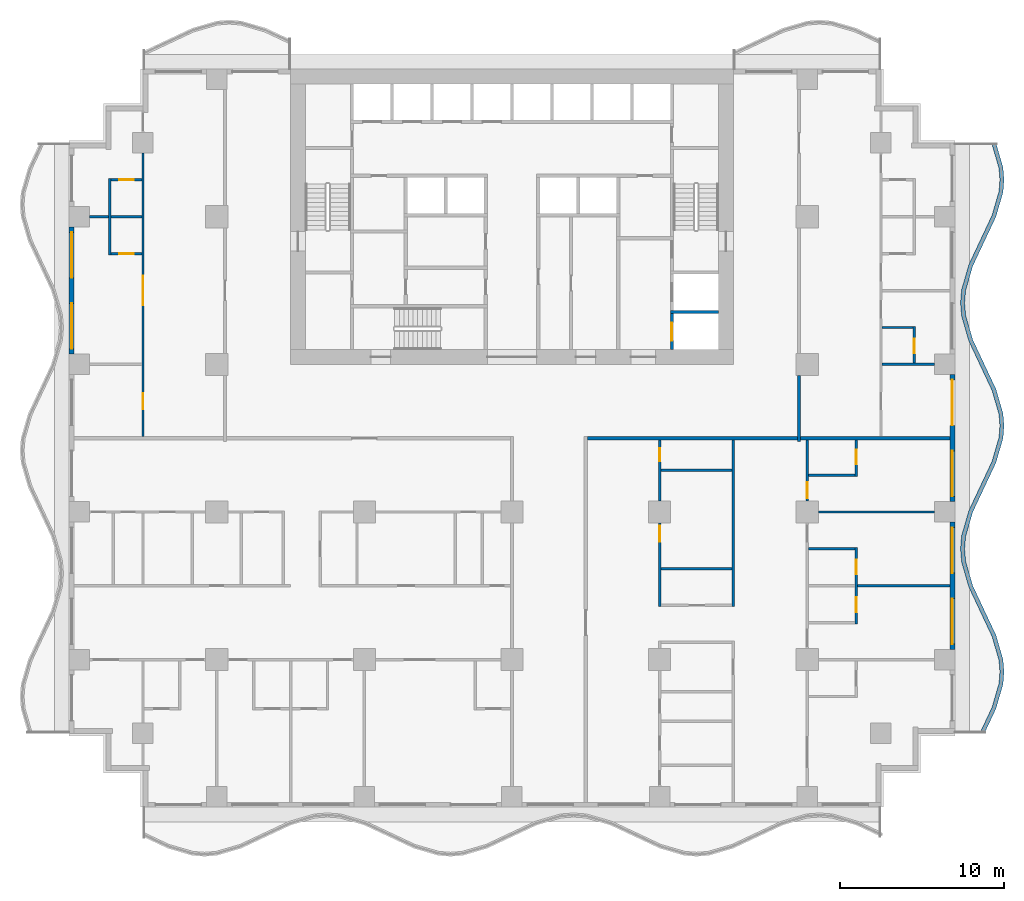
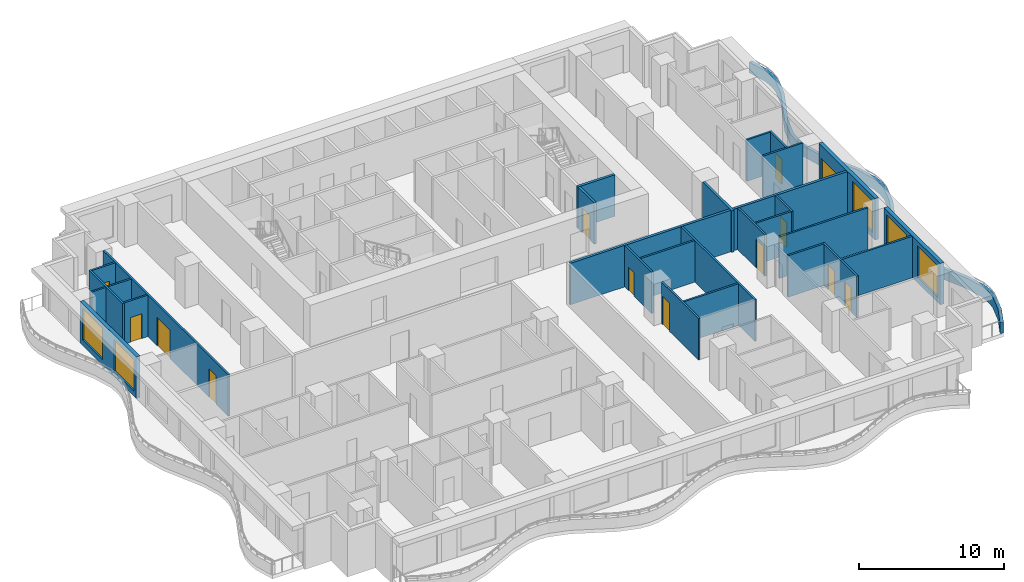
# One storey, part 4 of 14: 30 walls, 13 doors, 5 windows, 18 openings.
"""IFC4 building model written with IfcOpenShell, lengths in metres."""

from ifc_helpers import new_model, si_unit, direction, frame, frame_2d, origin, place, context, subcontext, project, spatial, polyline, rectangle, outline, extrude, material, layer, layer_set, type_object, element, fill, save


model = new_model("IFC4")

# Units and contexts
model_context = context("Model", 3, precision=1e-05, world=origin(), true_north=direction((0.0, 1.0)))
body_context = subcontext(model_context, "Body", "Model", "MODEL_VIEW")
ifc_project = project(units=[si_unit("LENGTHUNIT", "METRE"), si_unit("AREAUNIT", "SQUARE_METRE"), si_unit("VOLUMEUNIT", "CUBIC_METRE"), si_unit("PLANEANGLEUNIT", "RADIAN"), si_unit("MASSUNIT", "GRAM", prefix="KILO")], contexts=[model_context])

# Site, building, storey
site_placement = place(None, origin())
site = spatial("IfcSite", under=ifc_project, at=site_placement, CompositionType="ELEMENT")
building_placement = place(site_placement, origin())
building = spatial("IfcBuilding", under=site, at=building_placement, Name="Orbiselva Terraces", CompositionType="ELEMENT")
storey_placement = place(building_placement, frame((0.0, 0.0, 107.4)))
storey = spatial("IfcBuildingStorey", under=building, at=storey_placement, Name="L27", CompositionType="ELEMENT", Elevation=107.4)

# Wall, opening, door
ifc_material_1 = material(Name="Concrete C60/75", Category="concrete")
ifc_layer_1 = layer(ifc_material_1, 0.2)
ifc_layer_set_1 = layer_set([ifc_layer_1], Name="Concrete C60/75")
wall_type_1 = type_object("IfcWallType", Name="CORE-WALL-SHEAR-200", PredefinedType="SHEAR", material=ifc_layer_set_1)
wall_1_placement = place(storey_placement, frame((9.75, 5.4, 0.0), z_axis=(0.0, 0.0, 1.0), x_axis=(0.0, 1.0, 0.0)))
wall_1 = element("IfcWall", 1, at=wall_1_placement, inside=storey, type_object=wall_type_1, Name="L27 core wall 42", PredefinedType="SHEAR", context=body_context, shape_type="SweptSolid", body=[
    extrude(rectangle(XDim=2.2, YDim=0.2, at=frame_2d((1.1, 0.0))), origin(), (0.0, 0.0, 1.0), 3.5),
])
opening_1_placement = place(wall_1_placement, frame((0.55, 0.0, 0.0)))
opening_1 = element("IfcOpeningElement", 2, at=opening_1_placement, cuts=wall_1, Name="Opening LD-FF1", PredefinedType="OPENING", context=body_context, shape_type="SweptSolid", body=[
    extrude(rectangle(XDim=1.1, YDim=2.1, at=frame_2d((0.55, 1.05))), frame((0.0, 0.11, 0.0), z_axis=(0.0, -1.0, 0.0), x_axis=(1.0, 0.0, 0.0)), (0.0, 0.0, 1.0), 0.22),
])
ifc_material_2 = material(Name="Stainless steel landing door", Category="steel")
door_type_1 = type_object("IfcDoorType", Name="LANDING DOOR 1100", OperationType="SLIDING_TO_LEFT", PredefinedType="DOOR", material=ifc_material_2)
door_1_placement = place(opening_1_placement, origin())
door_1 = element("IfcDoor", 3, at=door_1_placement, inside=storey, type_object=door_type_1, Name="L27 landing door FF1", OperationType="SLIDING_TO_RIGHT", OverallHeight=2.1, OverallWidth=1.1, PredefinedType="DOOR", context=body_context, shape_type="SweptSolid", body=[
    extrude(rectangle(XDim=1.1, YDim=2.1, at=frame_2d((0.55, 1.05))), frame((0.0, 0.025, 0.0), z_axis=(0.0, -1.0, 0.0), x_axis=(1.0, 0.0, 0.0)), (0.0, 0.0, 1.0), 0.05),
])
fill(opening_1, door_1)

# Walls
wall_2_placement = place(storey_placement, frame((9.65, 7.7, 0.0), z_axis=(0.0, 0.0, 1.0), x_axis=(1.0, 0.0, 0.0)))
element("IfcWall", 4, at=wall_2_placement, inside=storey, type_object=wall_type_1, Name="L27 core wall 43", PredefinedType="SHEAR", context=body_context, shape_type="SweptSolid", body=[
    extrude(rectangle(XDim=2.95, YDim=0.2, at=frame_2d((1.475, 0.0))), origin(), (0.0, 0.0, 1.0), 3.5),
])
ifc_material_3 = material(Name="Concrete C40/50", Category="concrete")
ifc_layer_2 = layer(ifc_material_3, 0.25)
ifc_layer_set_2 = layer_set([ifc_layer_2], Name="Concrete C40/50")
wall_type_2 = type_object("IfcWallType", Name="ENV-PLANTER-250x900", PredefinedType="USERDEFINED", material=ifc_layer_set_2)
wall_3_placement = place(storey_placement, origin())
element("IfcWall", 5, at=wall_3_placement, inside=storey, type_object=wall_type_2, Name="Balcony planter L27 E", ObjectType="PLANTER", PredefinedType="USERDEFINED", context=body_context, shape_type="SweptSolid", body=[
    extrude(outline(polyline([(28.8, -18.0), (29.505342, -16.5), (29.941268, -15.0), (30.0, -14.25), (29.941268, -13.5), (29.505342, -12.0), (28.8, -10.5), (28.094658, -9.0), (27.658732, -7.5), (27.6, -6.75), (27.658732, -6.0), (28.094658, -4.5), (28.8, -3.0), (29.505342, -1.5), (29.941268, 0.0), (30.0, 0.75), (29.941268, 1.5), (29.505342, 3.0), (28.8, 4.5), (28.094658, 6.0), (27.658732, 7.5), (27.6, 8.25), (27.658732, 9.0), (28.094658, 10.5), (28.8, 12.0), (29.505342, 13.5), (29.941268, 15.0), (30.0, 15.75), (29.941268, 16.5), (29.505342, 18.0), (29.265274, 17.930232), (29.694035, 16.454886), (29.749235, 15.75), (29.694035, 15.045114), (29.270753, 13.588618), (28.573764, 12.106383), (27.860069, 10.588618), (27.411499, 9.045114), (27.349235, 8.25), (27.411499, 7.454886), (27.860069, 5.911382), (28.573764, 4.393617), (29.270753, 2.911382), (29.694035, 1.454886), (29.749235, 0.75), (29.694035, 0.045114), (29.270753, -1.411382), (28.573764, -2.893617), (27.860069, -4.411382), (27.411499, -5.954886), (27.349235, -6.75), (27.411499, -7.545114), (27.860069, -9.088618), (28.573764, -10.606383), (29.270753, -12.088618), (29.694035, -13.545114), (29.749235, -14.25), (29.694035, -14.954886), (29.270753, -16.411382), (28.573764, -17.893617), (28.8, -18.0)])), origin(), (0.0, 0.0, 1.0), 0.9),
])

# Wall, openings, windows
ifc_material_4 = material(Name="Terracotta cladding on masonry backing", Category="masonry")
ifc_layer_3 = layer(ifc_material_4, 0.3)
ifc_layer_set_3 = layer_set([ifc_layer_3], Name="Terracotta cladding on masonry backing")
wall_type_3 = type_object("IfcWallType", Name="ENV-WALL-TERRACOTTA-300", PredefinedType="SOLIDWALL", material=ifc_layer_set_3)
wall_4_placement = place(storey_placement, frame((26.85, -5.125, 0.0), z_axis=(0.0, 0.0, 1.0), x_axis=(0.0, -1.0, 0.0)))
wall_4 = element("IfcWall", 6, at=wall_4_placement, inside=storey, type_object=wall_type_3, Name="Facade wall L27 E", PredefinedType="SOLIDWALL", context=body_context, shape_type="SweptSolid", body=[
    extrude(rectangle(XDim=7.75, YDim=0.3, at=frame_2d((3.875, 0.0))), origin(), (0.0, 0.0, 1.0), 3.5),
])
opening_2_placement = place(wall_4_placement, frame((4.65, 0.0, 0.45)))
opening_2 = element("IfcOpeningElement", 7, at=opening_2_placement, cuts=wall_4, Name="Opening WN6", PredefinedType="OPENING", context=body_context, shape_type="SweptSolid", body=[
    extrude(rectangle(XDim=2.775, YDim=2.65, at=frame_2d((1.3875, 1.325))), frame((0.0, 0.16, 0.0), z_axis=(0.0, -1.0, 0.0), x_axis=(1.0, 0.0, 0.0)), (0.0, 0.0, 1.0), 0.32),
])
opening_3_placement = place(wall_4_placement, frame((0.325, 0.0, 0.45)))
opening_3 = element("IfcOpeningElement", 8, at=opening_3_placement, cuts=wall_4, Name="Opening WN6", PredefinedType="OPENING", context=body_context, shape_type="SweptSolid", body=[
    extrude(rectangle(XDim=2.775, YDim=2.65, at=frame_2d((1.3875, 1.325))), frame((0.0, 0.16, 0.0), z_axis=(0.0, -1.0, 0.0), x_axis=(1.0, 0.0, 0.0)), (0.0, 0.0, 1.0), 0.32),
])
ifc_material_5 = material(Name="Clear low-e glazing in aluminium frame", Category="aluminium")
window_type = type_object("IfcWindowType", Name="WINDOW 2775 X 2650 S450", PartitioningType="TRIPLE_PANEL_VERTICAL", PredefinedType="WINDOW", material=ifc_material_5)
window_1_placement = place(opening_2_placement, origin())
window_1 = element("IfcWindow", 9, at=window_1_placement, inside=storey, type_object=window_type, Name="Window L27 E", OverallHeight=2.65, OverallWidth=2.775, PartitioningType="SINGLE_PANEL", PredefinedType="WINDOW", context=body_context, shape_type="SweptSolid", body=[
    extrude(rectangle(XDim=2.775, YDim=2.65, at=frame_2d((1.3875, 1.325))), frame((0.0, 0.03, 0.0), z_axis=(0.0, -1.0, 0.0), x_axis=(1.0, 0.0, 0.0)), (0.0, 0.0, 1.0), 0.06),
])
fill(opening_2, window_1)
window_2_placement = place(opening_3_placement, origin())
window_2 = element("IfcWindow", 10, at=window_2_placement, inside=storey, type_object=window_type, Name="Window L27 E", OverallHeight=2.65, OverallWidth=2.775, PartitioningType="SINGLE_PANEL", PredefinedType="WINDOW", context=body_context, shape_type="SweptSolid", body=[
    extrude(rectangle(XDim=2.775, YDim=2.65, at=frame_2d((1.3875, 1.325))), frame((0.0, 0.03, 0.0), z_axis=(0.0, -1.0, 0.0), x_axis=(1.0, 0.0, 0.0)), (0.0, 0.0, 1.0), 0.06),
])
fill(opening_3, window_2)

# Wall, openings, door, window
wall_5_placement = place(storey_placement, frame((26.85, 3.875, 0.0), z_axis=(0.0, 0.0, 1.0), x_axis=(0.0, -1.0, 0.0)))
wall_5 = element("IfcWall", 11, at=wall_5_placement, inside=storey, type_object=wall_type_3, Name="Facade wall L27 E", PredefinedType="SOLIDWALL", context=body_context, shape_type="SweptSolid", body=[
    extrude(rectangle(XDim=7.75, YDim=0.3, at=frame_2d((3.875, 0.0))), origin(), (0.0, 0.0, 1.0), 3.5),
])
opening_4_placement = place(wall_5_placement, frame((4.65, 0.0, 0.45)))
opening_4 = element("IfcOpeningElement", 12, at=opening_4_placement, cuts=wall_5, Name="Opening WN6", PredefinedType="OPENING", context=body_context, shape_type="SweptSolid", body=[
    extrude(rectangle(XDim=2.775, YDim=2.65, at=frame_2d((1.3875, 1.325))), frame((0.0, 0.16, 0.0), z_axis=(0.0, -1.0, 0.0), x_axis=(1.0, 0.0, 0.0)), (0.0, 0.0, 1.0), 0.32),
])
opening_5_placement = place(wall_5_placement, frame((0.325, 0.0, 0.0)))
opening_5 = element("IfcOpeningElement", 13, at=opening_5_placement, cuts=wall_5, Name="Opening Z2-D-E06", PredefinedType="OPENING", context=body_context, shape_type="SweptSolid", body=[
    extrude(rectangle(XDim=2.775, YDim=2.4, at=frame_2d((1.3875, 1.2))), frame((0.0, 0.16, 0.0), z_axis=(0.0, -1.0, 0.0), x_axis=(1.0, 0.0, 0.0)), (0.0, 0.0, 1.0), 0.32),
])
door_type_2 = type_object("IfcDoorType", Name="BALCONY DOOR 2775 X 2400", OperationType="DOUBLE_DOOR_SLIDING", PredefinedType="DOOR", material=ifc_material_5)
door_2_placement = place(opening_5_placement, origin())
door_2 = element("IfcDoor", 14, at=door_2_placement, inside=storey, type_object=door_type_2, Name="Z2-D-E06", OperationType="SINGLE_SWING_LEFT", OverallHeight=2.4, OverallWidth=2.775, PredefinedType="DOOR", context=body_context, shape_type="SweptSolid", body=[
    extrude(rectangle(XDim=2.775, YDim=2.4, at=frame_2d((1.3875, 1.2))), frame((0.0, 0.025, 0.0), z_axis=(0.0, -1.0, 0.0), x_axis=(1.0, 0.0, 0.0)), (0.0, 0.0, 1.0), 0.05),
])
fill(opening_5, door_2)
window_3_placement = place(opening_4_placement, origin())
window_3 = element("IfcWindow", 15, at=window_3_placement, inside=storey, type_object=window_type, Name="Window L27 E", OverallHeight=2.65, OverallWidth=2.775, PartitioningType="SINGLE_PANEL", PredefinedType="WINDOW", context=body_context, shape_type="SweptSolid", body=[
    extrude(rectangle(XDim=2.775, YDim=2.65, at=frame_2d((1.3875, 1.325))), frame((0.0, 0.03, 0.0), z_axis=(0.0, -1.0, 0.0), x_axis=(1.0, 0.0, 0.0)), (0.0, 0.0, 1.0), 0.06),
])
fill(opening_4, window_3)

# Wall, openings, windows
wall_6_placement = place(storey_placement, frame((-26.85, 5.125, 0.0), z_axis=(0.0, 0.0, 1.0), x_axis=(0.0, 1.0, 0.0)))
wall_6 = element("IfcWall", 16, at=wall_6_placement, inside=storey, type_object=wall_type_3, Name="Facade wall L27 W", PredefinedType="SOLIDWALL", context=body_context, shape_type="SweptSolid", body=[
    extrude(rectangle(XDim=7.75, YDim=0.3, at=frame_2d((3.875, 0.0))), origin(), (0.0, 0.0, 1.0), 3.5),
])
opening_6_placement = place(wall_6_placement, frame((4.65, 0.0, 0.45)))
opening_6 = element("IfcOpeningElement", 17, at=opening_6_placement, cuts=wall_6, Name="Opening WN6", PredefinedType="OPENING", context=body_context, shape_type="SweptSolid", body=[
    extrude(rectangle(XDim=2.775, YDim=2.65, at=frame_2d((1.3875, 1.325))), frame((0.0, 0.16, 0.0), z_axis=(0.0, -1.0, 0.0), x_axis=(1.0, 0.0, 0.0)), (0.0, 0.0, 1.0), 0.32),
])
opening_7_placement = place(wall_6_placement, frame((0.325, 0.0, 0.45)))
opening_7 = element("IfcOpeningElement", 18, at=opening_7_placement, cuts=wall_6, Name="Opening WN6", PredefinedType="OPENING", context=body_context, shape_type="SweptSolid", body=[
    extrude(rectangle(XDim=2.775, YDim=2.65, at=frame_2d((1.3875, 1.325))), frame((0.0, 0.16, 0.0), z_axis=(0.0, -1.0, 0.0), x_axis=(1.0, 0.0, 0.0)), (0.0, 0.0, 1.0), 0.32),
])
window_4_placement = place(opening_6_placement, origin())
window_4 = element("IfcWindow", 19, at=window_4_placement, inside=storey, type_object=window_type, Name="Window L27 W", OverallHeight=2.65, OverallWidth=2.775, PartitioningType="SINGLE_PANEL", PredefinedType="WINDOW", context=body_context, shape_type="SweptSolid", body=[
    extrude(rectangle(XDim=2.775, YDim=2.65, at=frame_2d((1.3875, 1.325))), frame((0.0, 0.03, 0.0), z_axis=(0.0, -1.0, 0.0), x_axis=(1.0, 0.0, 0.0)), (0.0, 0.0, 1.0), 0.06),
])
fill(opening_6, window_4)
window_5_placement = place(opening_7_placement, origin())
window_5 = element("IfcWindow", 20, at=window_5_placement, inside=storey, type_object=window_type, Name="Window L27 W", OverallHeight=2.65, OverallWidth=2.775, PartitioningType="SINGLE_PANEL", PredefinedType="WINDOW", context=body_context, shape_type="SweptSolid", body=[
    extrude(rectangle(XDim=2.775, YDim=2.65, at=frame_2d((1.3875, 1.325))), frame((0.0, 0.03, 0.0), z_axis=(0.0, -1.0, 0.0), x_axis=(1.0, 0.0, 0.0)), (0.0, 0.0, 1.0), 0.06),
])
fill(opening_7, window_5)

# Walls
ifc_material_6 = material(Name="Plasterboard on steel stud partition", Category="steel")
ifc_layer_4 = layer(ifc_material_6, 0.2)
ifc_layer_set_4 = layer_set([ifc_layer_4], Name="Plasterboard on steel stud partition")
wall_type_4 = type_object("IfcWallType", Name="UNIT-ENTRANCE-WALL-200", PredefinedType="PARTITIONING", material=ifc_layer_set_4)
wall_7_placement = place(storey_placement, frame((4.6, 0.0, 0.0), z_axis=(0.0, 0.0, 1.0), x_axis=(1.0, 0.0, 0.0)))
element("IfcWall", 21, at=wall_7_placement, inside=storey, type_object=wall_type_4, Name="PARTITION L27-030", PredefinedType="PARTITIONING", context=body_context, shape_type="SweptSolid", body=[
    extrude(rectangle(XDim=12.8, YDim=0.2, at=frame_2d((6.4, 0.0))), origin(), (0.0, 0.0, 1.0), 3.5),
])
wall_8_placement = place(storey_placement, frame((17.5, -0.2, 0.0), z_axis=(0.0, 0.0, 1.0), x_axis=(0.0, 1.0, 0.0)))
element("IfcWall", 22, at=wall_8_placement, inside=storey, type_object=wall_type_4, Name="PARTITION L27-079", PredefinedType="PARTITIONING", context=body_context, shape_type="SweptSolid", body=[
    extrude(rectangle(XDim=4.025, YDim=0.2, at=frame_2d((2.0125, 0.0))), origin(), (0.0, 0.0, 1.0), 3.5),
])
ifc_layer_5 = layer(ifc_material_6, 0.15)
ifc_layer_set_5 = layer_set([ifc_layer_5], Name="Plasterboard on steel stud partition")
wall_type_5 = type_object("IfcWallType", Name="UNIT-PARTITION-150", PredefinedType="PARTITIONING", material=ifc_layer_set_5)
wall_9_placement = place(storey_placement, frame((21.075, -9.0, 0.0), z_axis=(0.0, 0.0, 1.0), x_axis=(1.0, 0.0, 0.0)))
element("IfcWall", 23, at=wall_9_placement, inside=storey, type_object=wall_type_5, Name="PARTITION L27-019", PredefinedType="PARTITIONING", context=body_context, shape_type="SweptSolid", body=[
    extrude(rectangle(XDim=5.625, YDim=0.15, at=frame_2d((2.8125, 0.0))), origin(), (0.0, 0.0, 1.0), 3.5),
])
wall_10_placement = place(storey_placement, frame((9.075, -7.95, 0.0), z_axis=(0.0, 0.0, 1.0), x_axis=(1.0, 0.0, 0.0)))
element("IfcWall", 24, at=wall_10_placement, inside=storey, type_object=wall_type_5, Name="PARTITION L27-020", PredefinedType="PARTITIONING", context=body_context, shape_type="SweptSolid", body=[
    extrude(rectangle(XDim=4.35, YDim=0.15, at=frame_2d((2.175, 0.0))), origin(), (0.0, 0.0, 1.0), 3.5),
])
wall_11_placement = place(storey_placement, frame((18.075, -6.75, 0.0), z_axis=(0.0, 0.0, 1.0), x_axis=(1.0, 0.0, 0.0)))
element("IfcWall", 25, at=wall_11_placement, inside=storey, type_object=wall_type_5, Name="PARTITION L27-021", PredefinedType="PARTITIONING", context=body_context, shape_type="SweptSolid", body=[
    extrude(rectangle(XDim=2.85, YDim=0.15, at=frame_2d((1.425, 0.0))), origin(), (0.0, 0.0, 1.0), 3.5),
])
wall_12_placement = place(storey_placement, frame((18.675, -4.5, 0.0), z_axis=(0.0, 0.0, 1.0), x_axis=(1.0, 0.0, 0.0)))
element("IfcWall", 26, at=wall_12_placement, inside=storey, type_object=wall_type_5, Name="PARTITION L27-026", PredefinedType="PARTITIONING", context=body_context, shape_type="SweptSolid", body=[
    extrude(rectangle(XDim=7.075, YDim=0.15, at=frame_2d((3.5375, 0.0))), origin(), (0.0, 0.0, 1.0), 3.5),
])
wall_13_placement = place(storey_placement, frame((18.075, -2.25, 0.0), z_axis=(0.0, 0.0, 1.0), x_axis=(1.0, 0.0, 0.0)))
element("IfcWall", 27, at=wall_13_placement, inside=storey, type_object=wall_type_5, Name="PARTITION L27-027", PredefinedType="PARTITIONING", context=body_context, shape_type="SweptSolid", body=[
    extrude(rectangle(XDim=2.85, YDim=0.15, at=frame_2d((1.425, 0.0))), origin(), (0.0, 0.0, 1.0), 3.5),
])
wall_14_placement = place(storey_placement, frame((9.075, -1.95, 0.0), z_axis=(0.0, 0.0, 1.0), x_axis=(1.0, 0.0, 0.0)))
element("IfcWall", 28, at=wall_14_placement, inside=storey, type_object=wall_type_5, Name="PARTITION L27-028", PredefinedType="PARTITIONING", context=body_context, shape_type="SweptSolid", body=[
    extrude(rectangle(XDim=4.35, YDim=0.15, at=frame_2d((2.175, 0.0))), origin(), (0.0, 0.0, 1.0), 3.5),
])
wall_15_placement = place(storey_placement, frame((22.575, 4.5, 0.0), z_axis=(0.0, 0.0, 1.0), x_axis=(1.0, 0.0, 0.0)))
element("IfcWall", 29, at=wall_15_placement, inside=storey, type_object=wall_type_5, Name="PARTITION L27-034", PredefinedType="PARTITIONING", context=body_context, shape_type="SweptSolid", body=[
    extrude(rectangle(XDim=3.175, YDim=0.15, at=frame_2d((1.5875, 0.0))), origin(), (0.0, 0.0, 1.0), 3.5),
])
wall_16_placement = place(storey_placement, frame((22.575, 6.75, 0.0), z_axis=(0.0, 0.0, 1.0), x_axis=(1.0, 0.0, 0.0)))
element("IfcWall", 30, at=wall_16_placement, inside=storey, type_object=wall_type_5, Name="PARTITION L27-035", PredefinedType="PARTITIONING", context=body_context, shape_type="SweptSolid", body=[
    extrude(rectangle(XDim=1.875, YDim=0.15, at=frame_2d((0.9375, 0.0))), origin(), (0.0, 0.0, 1.0), 3.5),
])

# Wall, opening, door
wall_17_placement = place(storey_placement, frame((-24.45, 11.25, 0.0), z_axis=(0.0, 0.0, 1.0), x_axis=(1.0, 0.0, 0.0)))
wall_17 = element("IfcWall", 31, at=wall_17_placement, inside=storey, type_object=wall_type_5, Name="PARTITION L27-037", PredefinedType="PARTITIONING", context=body_context, shape_type="SweptSolid", body=[
    extrude(rectangle(XDim=1.875, YDim=0.15, at=frame_2d((0.9375, 0.0))), origin(), (0.0, 0.0, 1.0), 3.5),
])
opening_8_placement = place(wall_17_placement, frame((0.5, 0.0, 0.0)))
opening_8 = element("IfcOpeningElement", 32, at=opening_8_placement, cuts=wall_17, Name="Opening Z2-D-04", PredefinedType="OPENING", context=body_context, shape_type="SweptSolid", body=[
    extrude(rectangle(XDim=0.9, YDim=2.1, at=frame_2d((0.45, 1.05))), frame((0.0, 0.085, 0.0), z_axis=(0.0, -1.0, 0.0), x_axis=(1.0, 0.0, 0.0)), (0.0, 0.0, 1.0), 0.17),
])
ifc_material_7 = material(Name="Painted timber door leaf", Category="wood")
door_type_3 = type_object("IfcDoorType", Name="BATH DOOR 900", OperationType="NOTDEFINED", PredefinedType="DOOR", material=ifc_material_7)
door_3_placement = place(opening_8_placement, origin())
door_3 = element("IfcDoor", 33, at=door_3_placement, inside=storey, type_object=door_type_3, Name="Z2-D-04", OperationType="SINGLE_SWING_RIGHT", OverallHeight=2.1, OverallWidth=0.9, PredefinedType="DOOR", context=body_context, shape_type="SweptSolid", body=[
    extrude(rectangle(XDim=0.9, YDim=2.1, at=frame_2d((0.45, 1.05))), frame((0.0, 0.025, 0.0), z_axis=(0.0, -1.0, 0.0), x_axis=(1.0, 0.0, 0.0)), (0.0, 0.0, 1.0), 0.05),
])
fill(opening_8, door_3)

# Walls
wall_18_placement = place(storey_placement, frame((-25.75, 13.5, 0.0), z_axis=(0.0, 0.0, 1.0), x_axis=(1.0, 0.0, 0.0)))
element("IfcWall", 34, at=wall_18_placement, inside=storey, type_object=wall_type_5, Name="PARTITION L27-039", PredefinedType="PARTITIONING", context=body_context, shape_type="SweptSolid", body=[
    extrude(rectangle(XDim=1.15, YDim=0.15, at=frame_2d((0.575, 0.0))), origin(), (0.0, 0.0, 1.0), 3.5),
])
wall_19_placement = place(storey_placement, frame((-24.45, 13.5, 0.0), z_axis=(0.0, 0.0, 1.0), x_axis=(1.0, 0.0, 0.0)))
element("IfcWall", 35, at=wall_19_placement, inside=storey, type_object=wall_type_5, Name="PARTITION L27-040", PredefinedType="PARTITIONING", context=body_context, shape_type="SweptSolid", body=[
    extrude(rectangle(XDim=1.875, YDim=0.15, at=frame_2d((0.9375, 0.0))), origin(), (0.0, 0.0, 1.0), 3.5),
])

# Wall, opening, door
wall_20_placement = place(storey_placement, frame((-22.575, 15.75, 0.0), z_axis=(0.0, 0.0, 1.0), x_axis=(-1.0, 0.0, 0.0)))
wall_20 = element("IfcWall", 36, at=wall_20_placement, inside=storey, type_object=wall_type_5, Name="PARTITION L27-043", PredefinedType="PARTITIONING", context=body_context, shape_type="SweptSolid", body=[
    extrude(rectangle(XDim=1.875, YDim=0.15, at=frame_2d((0.9375, 0.0))), origin(), (0.0, 0.0, 1.0), 3.5),
])
opening_9_placement = place(wall_20_placement, frame((0.475, 0.0, 0.0)))
opening_9 = element("IfcOpeningElement", 37, at=opening_9_placement, cuts=wall_20, Name="Opening Z2-D-06", PredefinedType="OPENING", context=body_context, shape_type="SweptSolid", body=[
    extrude(rectangle(XDim=0.9, YDim=2.1, at=frame_2d((0.45, 1.05))), frame((0.0, 0.085, 0.0), z_axis=(0.0, -1.0, 0.0), x_axis=(1.0, 0.0, 0.0)), (0.0, 0.0, 1.0), 0.17),
])
door_4_placement = place(opening_9_placement, origin())
door_4 = element("IfcDoor", 38, at=door_4_placement, inside=storey, type_object=door_type_3, Name="Z2-D-06", OperationType="SINGLE_SWING_LEFT", OverallHeight=2.1, OverallWidth=0.9, PredefinedType="DOOR", context=body_context, shape_type="SweptSolid", body=[
    extrude(rectangle(XDim=0.9, YDim=2.1, at=frame_2d((0.45, 1.05))), frame((0.0, 0.025, 0.0), z_axis=(0.0, -1.0, 0.0), x_axis=(1.0, 0.0, 0.0)), (0.0, 0.0, 1.0), 0.05),
])
fill(opening_9, door_4)

# Wall
wall_21_placement = place(storey_placement, frame((-24.525, 11.175, 0.0), z_axis=(0.0, 0.0, 1.0), x_axis=(0.0, 1.0, 0.0)))
element("IfcWall", 39, at=wall_21_placement, inside=storey, type_object=wall_type_5, Name="PARTITION L27-045", PredefinedType="PARTITIONING", context=body_context, shape_type="SweptSolid", body=[
    extrude(rectangle(XDim=4.65, YDim=0.15, at=frame_2d((2.325, 0.0))), origin(), (0.0, 0.0, 1.0), 3.5),
])

# Wall, openings, doors
wall_22_placement = place(storey_placement, frame((-22.5, 0.1, 0.0), z_axis=(0.0, 0.0, 1.0), x_axis=(0.0, 1.0, 0.0)))
wall_22 = element("IfcWall", 40, at=wall_22_placement, inside=storey, type_object=wall_type_5, Name="PARTITION L27-050", PredefinedType="PARTITIONING", context=body_context, shape_type="SweptSolid", body=[
    extrude(rectangle(XDim=17.275, YDim=0.15, at=frame_2d((8.6375, 0.0))), origin(), (0.0, 0.0, 1.0), 3.5),
])
opening_10_placement = place(wall_22_placement, frame((1.65, 0.0, 0.0)))
opening_10 = element("IfcOpeningElement", 41, at=opening_10_placement, cuts=wall_22, Name="Opening Z2-D-02", PredefinedType="OPENING", context=body_context, shape_type="SweptSolid", body=[
    extrude(rectangle(XDim=1.0, YDim=2.4, at=frame_2d((0.5, 1.2))), frame((0.0, 0.085, 0.0), z_axis=(0.0, -1.0, 0.0), x_axis=(1.0, 0.0, 0.0)), (0.0, 0.0, 1.0), 0.17),
])
opening_11_placement = place(wall_22_placement, frame((8.0, 0.0, 0.0)))
opening_11 = element("IfcOpeningElement", 42, at=opening_11_placement, cuts=wall_22, Name="Opening Z2-D-03", PredefinedType="OPENING", context=body_context, shape_type="SweptSolid", body=[
    extrude(rectangle(XDim=1.8, YDim=2.4, at=frame_2d((0.9, 1.2))), frame((0.0, 0.085, 0.0), z_axis=(0.0, -1.0, 0.0), x_axis=(1.0, 0.0, 0.0)), (0.0, 0.0, 1.0), 0.17),
])
door_type_4 = type_object("IfcDoorType", Name="DOUBLE DOOR 1800", OperationType="NOTDEFINED", PredefinedType="DOOR", material=ifc_material_7)
door_5_placement = place(opening_11_placement, origin())
door_5 = element("IfcDoor", 43, at=door_5_placement, inside=storey, type_object=door_type_4, Name="Z2-D-03", OperationType="DOUBLE_DOOR_SINGLE_SWING", OverallHeight=2.4, OverallWidth=1.8, PredefinedType="DOOR", context=body_context, shape_type="SweptSolid", body=[
    extrude(rectangle(XDim=1.8, YDim=2.4, at=frame_2d((0.9, 1.2))), frame((0.0, 0.025, 0.0), z_axis=(0.0, -1.0, 0.0), x_axis=(1.0, 0.0, 0.0)), (0.0, 0.0, 1.0), 0.05),
])
fill(opening_11, door_5)
door_type_5 = type_object("IfcDoorType", Name="ROOM DOOR 1000", OperationType="NOTDEFINED", PredefinedType="DOOR", material=ifc_material_7)
door_6_placement = place(opening_10_placement, origin())
door_6 = element("IfcDoor", 44, at=door_6_placement, inside=storey, type_object=door_type_5, Name="Z2-D-02", OperationType="SINGLE_SWING_LEFT", OverallHeight=2.4, OverallWidth=1.0, PredefinedType="DOOR", context=body_context, shape_type="SweptSolid", body=[
    extrude(rectangle(XDim=1.0, YDim=2.4, at=frame_2d((0.5, 1.2))), frame((0.0, 0.025, 0.0), z_axis=(0.0, -1.0, 0.0), x_axis=(1.0, 0.0, 0.0)), (0.0, 0.0, 1.0), 0.05),
])
fill(opening_10, door_6)

# Wall, opening, door
wall_23_placement = place(storey_placement, frame((9.0, -5.175, 0.0), z_axis=(0.0, 0.0, 1.0), x_axis=(0.0, -1.0, 0.0)))
wall_23 = element("IfcWall", 45, at=wall_23_placement, inside=storey, type_object=wall_type_5, Name="PARTITION L27-075", PredefinedType="PARTITIONING", context=body_context, shape_type="SweptSolid", body=[
    extrude(rectangle(XDim=5.1, YDim=0.15, at=frame_2d((2.55, 0.0))), origin(), (0.0, 0.0, 1.0), 3.5),
])
opening_12_placement = place(wall_23_placement, frame((0.15, 0.0, 0.0)))
opening_12 = element("IfcOpeningElement", 46, at=opening_12_placement, cuts=wall_23, Name="Opening Z2-D-36", PredefinedType="OPENING", context=body_context, shape_type="SweptSolid", body=[
    extrude(rectangle(XDim=1.0, YDim=2.4, at=frame_2d((0.5, 1.2))), frame((0.0, 0.085, 0.0), z_axis=(0.0, -1.0, 0.0), x_axis=(1.0, 0.0, 0.0)), (0.0, 0.0, 1.0), 0.17),
])
door_7_placement = place(opening_12_placement, origin())
door_7 = element("IfcDoor", 47, at=door_7_placement, inside=storey, type_object=door_type_5, Name="Z2-D-36", OperationType="SINGLE_SWING_LEFT", OverallHeight=2.4, OverallWidth=1.0, PredefinedType="DOOR", context=body_context, shape_type="SweptSolid", body=[
    extrude(rectangle(XDim=1.0, YDim=2.4, at=frame_2d((0.5, 1.2))), frame((0.0, 0.025, 0.0), z_axis=(0.0, -1.0, 0.0), x_axis=(1.0, 0.0, 0.0)), (0.0, 0.0, 1.0), 0.05),
])
fill(opening_12, door_7)

wall_24_placement = place(storey_placement, frame((9.0, -0.1, 0.0), z_axis=(0.0, 0.0, 1.0), x_axis=(0.0, -1.0, 0.0)))
wall_24 = element("IfcWall", 48, at=wall_24_placement, inside=storey, type_object=wall_type_5, Name="PARTITION L27-076", PredefinedType="PARTITIONING", context=body_context, shape_type="SweptSolid", body=[
    extrude(rectangle(XDim=3.725, YDim=0.15, at=frame_2d((1.8625, 0.0))), origin(), (0.0, 0.0, 1.0), 3.5),
])
opening_13_placement = place(wall_24_placement, frame((0.5, 0.0, 0.0)))
opening_13 = element("IfcOpeningElement", 49, at=opening_13_placement, cuts=wall_24, Name="Opening Z2-D-35", PredefinedType="OPENING", context=body_context, shape_type="SweptSolid", body=[
    extrude(rectangle(XDim=0.8, YDim=2.0, at=frame_2d((0.4, 1.0))), frame((0.0, 0.085, 0.0), z_axis=(0.0, -1.0, 0.0), x_axis=(1.0, 0.0, 0.0)), (0.0, 0.0, 1.0), 0.17),
])
door_type_6 = type_object("IfcDoorType", Name="STORE DOOR 800", OperationType="NOTDEFINED", PredefinedType="DOOR", material=ifc_material_7)
door_8_placement = place(opening_13_placement, origin())
door_8 = element("IfcDoor", 50, at=door_8_placement, inside=storey, type_object=door_type_6, Name="Z2-D-35", OperationType="SINGLE_SWING_LEFT", OverallHeight=2.0, OverallWidth=0.8, PredefinedType="DOOR", context=body_context, shape_type="SweptSolid", body=[
    extrude(rectangle(XDim=0.8, YDim=2.0, at=frame_2d((0.4, 1.0))), frame((0.0, 0.025, 0.0), z_axis=(0.0, -1.0, 0.0), x_axis=(1.0, 0.0, 0.0)), (0.0, 0.0, 1.0), 0.05),
])
fill(opening_13, door_8)

# Wall
wall_25_placement = place(storey_placement, frame((13.5, -10.275, 0.0), z_axis=(0.0, 0.0, 1.0), x_axis=(0.0, 1.0, 0.0)))
element("IfcWall", 51, at=wall_25_placement, inside=storey, type_object=wall_type_5, Name="PARTITION L27-078", PredefinedType="PARTITIONING", context=body_context, shape_type="SweptSolid", body=[
    extrude(rectangle(XDim=10.175, YDim=0.15, at=frame_2d((5.0875, 0.0))), origin(), (0.0, 0.0, 1.0), 3.5),
])

# Wall, opening, door
wall_26_placement = place(storey_placement, frame((18.0, -0.1, 0.0), z_axis=(0.0, 0.0, 1.0), x_axis=(0.0, -1.0, 0.0)))
wall_26 = element("IfcWall", 52, at=wall_26_placement, inside=storey, type_object=wall_type_5, Name="PARTITION L27-084", PredefinedType="PARTITIONING", context=body_context, shape_type="SweptSolid", body=[
    extrude(rectangle(XDim=3.725, YDim=0.15, at=frame_2d((1.8625, 0.0))), origin(), (0.0, 0.0, 1.0), 3.5),
])
opening_14_placement = place(wall_26_placement, frame((2.575, 0.0, 0.0)))
opening_14 = element("IfcOpeningElement", 53, at=opening_14_placement, cuts=wall_26, Name="Opening Z2-D-42", PredefinedType="OPENING", context=body_context, shape_type="SweptSolid", body=[
    extrude(rectangle(XDim=1.0, YDim=2.4, at=frame_2d((0.5, 1.2))), frame((0.0, 0.085, 0.0), z_axis=(0.0, -1.0, 0.0), x_axis=(1.0, 0.0, 0.0)), (0.0, 0.0, 1.0), 0.17),
])
door_9_placement = place(opening_14_placement, origin())
door_9 = element("IfcDoor", 54, at=door_9_placement, inside=storey, type_object=door_type_5, Name="Z2-D-42", OperationType="SINGLE_SWING_RIGHT", OverallHeight=2.4, OverallWidth=1.0, PredefinedType="DOOR", context=body_context, shape_type="SweptSolid", body=[
    extrude(rectangle(XDim=1.0, YDim=2.4, at=frame_2d((0.5, 1.2))), frame((0.0, 0.025, 0.0), z_axis=(0.0, -1.0, 0.0), x_axis=(1.0, 0.0, 0.0)), (0.0, 0.0, 1.0), 0.05),
])
fill(opening_14, door_9)

# Wall, openings, doors
wall_27_placement = place(storey_placement, frame((21.0, -11.325, 0.0), z_axis=(0.0, 0.0, 1.0), x_axis=(0.0, 1.0, 0.0)))
wall_27 = element("IfcWall", 55, at=wall_27_placement, inside=storey, type_object=wall_type_5, Name="PARTITION L27-086", PredefinedType="PARTITIONING", context=body_context, shape_type="SweptSolid", body=[
    extrude(rectangle(XDim=4.65, YDim=0.15, at=frame_2d((2.325, 0.0))), origin(), (0.0, 0.0, 1.0), 3.5),
])
opening_15_placement = place(wall_27_placement, frame((3.025, 0.0, 0.0)))
opening_15 = element("IfcOpeningElement", 56, at=opening_15_placement, cuts=wall_27, Name="Opening Z2-D-45", PredefinedType="OPENING", context=body_context, shape_type="SweptSolid", body=[
    extrude(rectangle(XDim=0.9, YDim=2.1, at=frame_2d((0.45, 1.05))), frame((0.0, 0.085, 0.0), z_axis=(0.0, -1.0, 0.0), x_axis=(1.0, 0.0, 0.0)), (0.0, 0.0, 1.0), 0.17),
])
opening_16_placement = place(wall_27_placement, frame((0.725, 0.0, 0.0)))
opening_16 = element("IfcOpeningElement", 57, at=opening_16_placement, cuts=wall_27, Name="Opening Z2-D-47", PredefinedType="OPENING", context=body_context, shape_type="SweptSolid", body=[
    extrude(rectangle(XDim=0.9, YDim=2.1, at=frame_2d((0.45, 1.05))), frame((0.0, 0.085, 0.0), z_axis=(0.0, -1.0, 0.0), x_axis=(1.0, 0.0, 0.0)), (0.0, 0.0, 1.0), 0.17),
])
door_10_placement = place(opening_15_placement, origin())
door_10 = element("IfcDoor", 58, at=door_10_placement, inside=storey, type_object=door_type_3, Name="Z2-D-45", OperationType="SINGLE_SWING_RIGHT", OverallHeight=2.1, OverallWidth=0.9, PredefinedType="DOOR", context=body_context, shape_type="SweptSolid", body=[
    extrude(rectangle(XDim=0.9, YDim=2.1, at=frame_2d((0.45, 1.05))), frame((0.0, 0.025, 0.0), z_axis=(0.0, -1.0, 0.0), x_axis=(1.0, 0.0, 0.0)), (0.0, 0.0, 1.0), 0.05),
])
fill(opening_15, door_10)
door_11_placement = place(opening_16_placement, origin())
door_11 = element("IfcDoor", 59, at=door_11_placement, inside=storey, type_object=door_type_3, Name="Z2-D-47", OperationType="SINGLE_SWING_LEFT", OverallHeight=2.1, OverallWidth=0.9, PredefinedType="DOOR", context=body_context, shape_type="SweptSolid", body=[
    extrude(rectangle(XDim=0.9, YDim=2.1, at=frame_2d((0.45, 1.05))), frame((0.0, 0.025, 0.0), z_axis=(0.0, -1.0, 0.0), x_axis=(1.0, 0.0, 0.0)), (0.0, 0.0, 1.0), 0.05),
])
fill(opening_16, door_11)

# Wall, opening, door
wall_28_placement = place(storey_placement, frame((21.0, -2.325, 0.0), z_axis=(0.0, 0.0, 1.0), x_axis=(0.0, 1.0, 0.0)))
wall_28 = element("IfcWall", 60, at=wall_28_placement, inside=storey, type_object=wall_type_5, Name="PARTITION L27-087", PredefinedType="PARTITIONING", context=body_context, shape_type="SweptSolid", body=[
    extrude(rectangle(XDim=2.225, YDim=0.15, at=frame_2d((1.1125, 0.0))), origin(), (0.0, 0.0, 1.0), 3.5),
])
opening_17_placement = place(wall_28_placement, frame((0.725, 0.0, 0.0)))
opening_17 = element("IfcOpeningElement", 61, at=opening_17_placement, cuts=wall_28, Name="Opening Z2-D-43", PredefinedType="OPENING", context=body_context, shape_type="SweptSolid", body=[
    extrude(rectangle(XDim=0.9, YDim=2.1, at=frame_2d((0.45, 1.05))), frame((0.0, 0.085, 0.0), z_axis=(0.0, -1.0, 0.0), x_axis=(1.0, 0.0, 0.0)), (0.0, 0.0, 1.0), 0.17),
])
door_12_placement = place(opening_17_placement, origin())
door_12 = element("IfcDoor", 62, at=door_12_placement, inside=storey, type_object=door_type_3, Name="Z2-D-43", OperationType="SINGLE_SWING_RIGHT", OverallHeight=2.1, OverallWidth=0.9, PredefinedType="DOOR", context=body_context, shape_type="SweptSolid", body=[
    extrude(rectangle(XDim=0.9, YDim=2.1, at=frame_2d((0.45, 1.05))), frame((0.0, 0.025, 0.0), z_axis=(0.0, -1.0, 0.0), x_axis=(1.0, 0.0, 0.0)), (0.0, 0.0, 1.0), 0.05),
])
fill(opening_17, door_12)

wall_29_placement = place(storey_placement, frame((24.525, 4.575, 0.0), z_axis=(0.0, 0.0, 1.0), x_axis=(0.0, 1.0, 0.0)))
wall_29 = element("IfcWall", 63, at=wall_29_placement, inside=storey, type_object=wall_type_5, Name="PARTITION L27-090", PredefinedType="PARTITIONING", context=body_context, shape_type="SweptSolid", body=[
    extrude(rectangle(XDim=2.25, YDim=0.15, at=frame_2d((1.125, 0.0))), origin(), (0.0, 0.0, 1.0), 3.5),
])
opening_18_placement = place(wall_29_placement, frame((0.6, 0.0, 0.0)))
opening_18 = element("IfcOpeningElement", 64, at=opening_18_placement, cuts=wall_29, Name="Opening Z2-D-10", PredefinedType="OPENING", context=body_context, shape_type="SweptSolid", body=[
    extrude(rectangle(XDim=0.9, YDim=2.1, at=frame_2d((0.45, 1.05))), frame((0.0, 0.085, 0.0), z_axis=(0.0, -1.0, 0.0), x_axis=(1.0, 0.0, 0.0)), (0.0, 0.0, 1.0), 0.17),
])
door_13_placement = place(opening_18_placement, origin())
door_13 = element("IfcDoor", 65, at=door_13_placement, inside=storey, type_object=door_type_3, Name="Z2-D-10", OperationType="SINGLE_SWING_LEFT", OverallHeight=2.1, OverallWidth=0.9, PredefinedType="DOOR", context=body_context, shape_type="SweptSolid", body=[
    extrude(rectangle(XDim=0.9, YDim=2.1, at=frame_2d((0.45, 1.05))), frame((0.0, 0.025, 0.0), z_axis=(0.0, -1.0, 0.0), x_axis=(1.0, 0.0, 0.0)), (0.0, 0.0, 1.0), 0.05),
])
fill(opening_18, door_13)

# Wall
ifc_layer_6 = layer(ifc_material_6, 0.2)
ifc_layer_set_6 = layer_set([ifc_layer_6], Name="Plasterboard on steel stud partition")
wall_type_6 = type_object("IfcWallType", Name="UNIT-PARTY-WALL-200", PredefinedType="PARTITIONING", material=ifc_layer_set_6)
wall_30_placement = place(storey_placement, frame((17.6, 0.0, 0.0), z_axis=(0.0, 0.0, 1.0), x_axis=(1.0, 0.0, 0.0)))
element("IfcWall", 66, at=wall_30_placement, inside=storey, type_object=wall_type_6, Name="PARTITION L27-032", PredefinedType="PARTITIONING", context=body_context, shape_type="SweptSolid", body=[
    extrude(rectangle(XDim=9.1, YDim=0.2, at=frame_2d((4.55, 0.0))), origin(), (0.0, 0.0, 1.0), 3.5),
])

save(model, "model.ifc")
